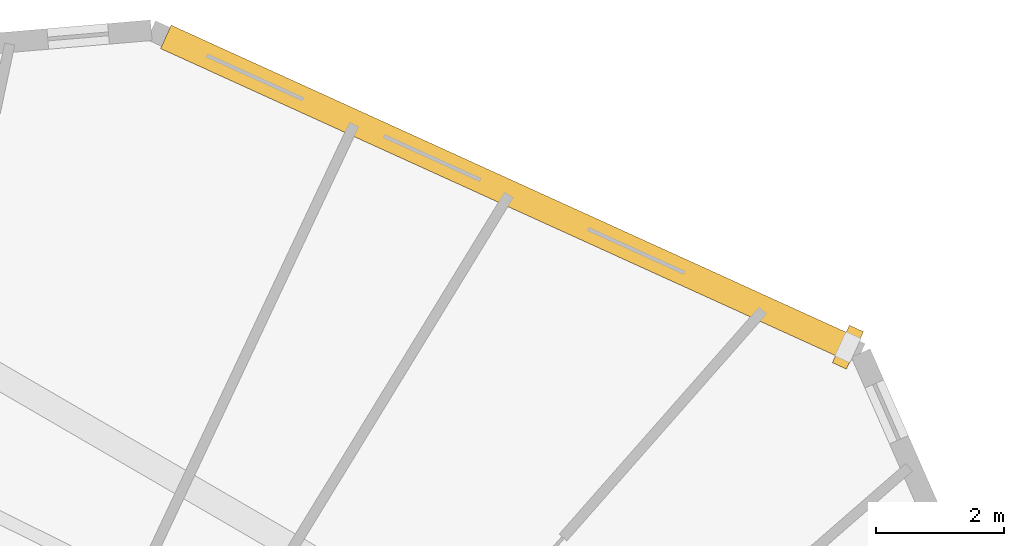
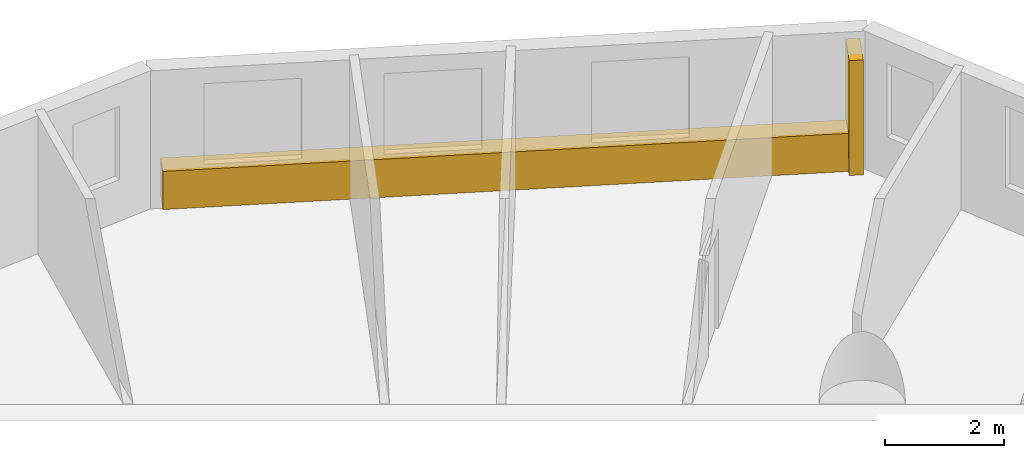
# One storey, part 10 of 10: 1 covering, 1 shading device.
"""IFC4 building model written with IfcOpenShell, lengths in metres."""

from ifc_helpers import new_model, si_unit, direction, frame, origin, origin_with_axes, origin_2d, place, context, subcontext, project, spatial, rectangle, extrude, source, transform, mapped, material, layer, layer_set, type_object, element, save


model = new_model("IFC4")

# Units and contexts
model_context = context("Model", 3, precision=1e-05, world=origin(), true_north=direction((0.0, 1.0)))
body_context = subcontext(model_context, "Body", "Model", "MODEL_VIEW")
ifc_project = project(units=[si_unit("LENGTHUNIT", "METRE"), si_unit("AREAUNIT", "SQUARE_METRE"), si_unit("VOLUMEUNIT", "CUBIC_METRE"), si_unit("PLANEANGLEUNIT", "RADIAN"), si_unit("MASSUNIT", "GRAM", prefix="KILO")], contexts=[model_context])

# Site, building, storey
site_placement = place(None, origin())
site = spatial("IfcSite", under=ifc_project, at=site_placement, CompositionType="ELEMENT")
building_placement = place(site_placement, origin())
building = spatial("IfcBuilding", under=site, at=building_placement, Name="Karkom Vertical University and Central Library", CompositionType="ELEMENT")
storey_placement = place(building_placement, frame((0.0, 0.0, 111.449951171875)))
storey = spatial("IfcBuildingStorey", under=building, at=storey_placement, Name="L30", CompositionType="ELEMENT", Elevation=111.449951171875)

# Shading device
ifc_material_1 = material(Name="Terracotta-clad precast concrete sun-breaker fin C45/55", Category="masonry")
shading_device_type = type_object("IfcShadingDeviceType", Name="ENV-SHD-BRISE", PredefinedType="USERDEFINED", material=ifc_material_1)
shared_shape_1 = source(origin_with_axes(), body_context, "Body", "SweptSolid", [
    extrude(rectangle(XDim=0.239990234375, YDim=0.639892578125, at=origin_2d()), origin(), (0.0, 0.0, 1.0), 2.35009765625),
])
shading_device_placement = place(storey_placement, frame((46.4755859375, 44.75927734375, 0.0), z_axis=(0.0, 0.0, 1.0), x_axis=(-0.9102505596, 0.41405786884, 0.0)))
element("IfcShadingDevice", 1, at=shading_device_placement, inside=storey, type_object=shading_device_type, Name="Level 30 Brutalist Brise-Soleil Fin 09", ObjectType="BRISE SOLEIL", PredefinedType="USERDEFINED", context=body_context, shape_type="MappedRepresentation", body=[
    mapped(shared_shape_1, transform((0.0, 0.0, 0.0), scale=1.0)),
])

# Covering
ifc_material_2 = material(Name="Hand-pressed red-ochre terracotta brick slip cladding", Category="masonry")
ifc_layer = layer(ifc_material_2, 0.090087890625)
ifc_layer_set = layer_set([ifc_layer], Name="Hand-pressed red-ochre terracotta brick slip cladding")
covering_type = type_object("IfcCoveringType", Name="ENV-COV-CLAD", PredefinedType="CLADDING", material=ifc_layer_set)
shared_shape_2 = source(origin_with_axes(), body_context, "Body", "SweptSolid", [
    extrude(rectangle(XDim=11.633056640625, YDim=0.39990234375, at=origin_2d()), origin(), (0.0, 0.0, 1.0), 0.780029296875),
])
covering_placement = place(storey_placement, frame((41.154296875, 47.180419921875, 0.0), z_axis=(0.0, 0.0, 1.0), x_axis=(-0.9102505596, 0.41405786884, 0.0)))
element("IfcCovering", 2, at=covering_placement, inside=storey, type_object=covering_type, Name="Level 30 Terracotta Spandrel Cladding 09", PredefinedType="CLADDING", context=body_context, shape_type="MappedRepresentation", body=[
    mapped(shared_shape_2, transform((0.0, 0.0, 0.0), scale=1.0)),
])

save(model, "model.ifc")
